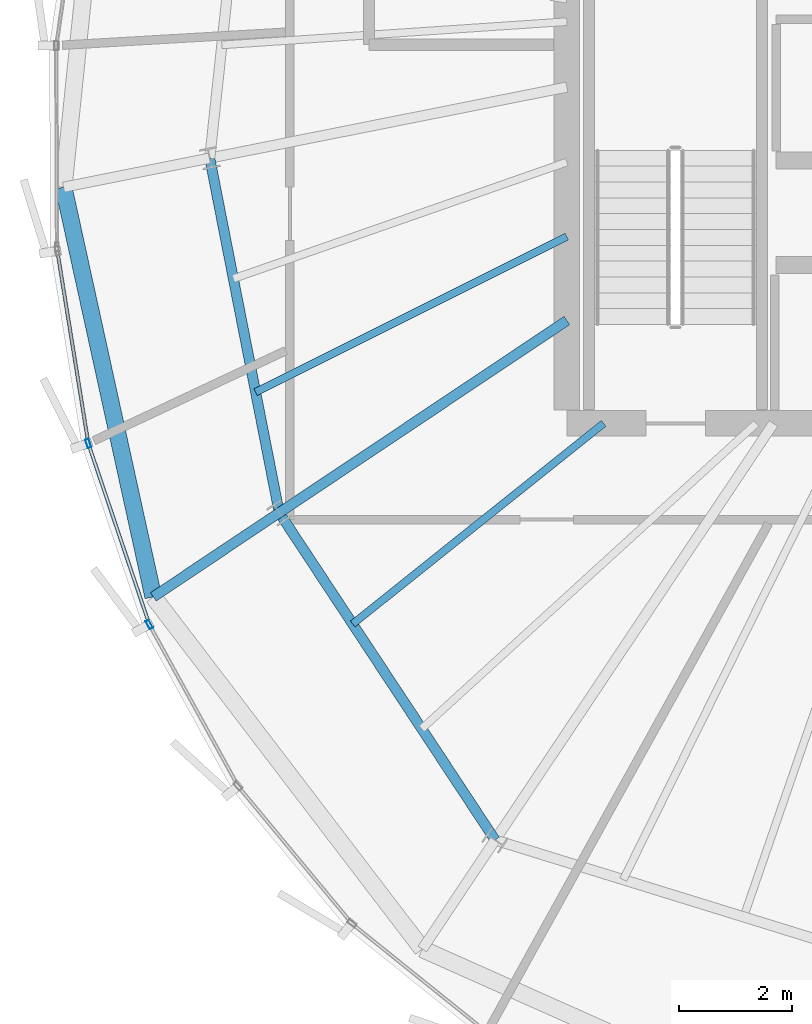
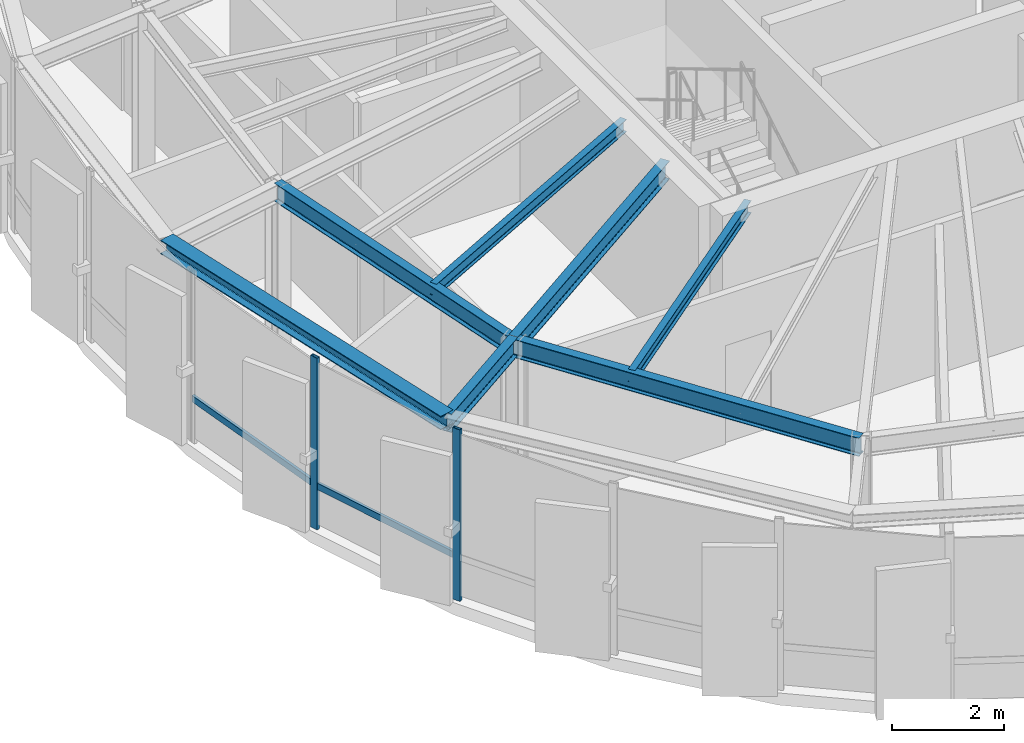
# One storey, part 4 of 27: 7 beams, 4 members, 1 element without a shape of its own.
"""IFC4 building model written with IfcOpenShell, lengths in metres."""

import ifcopenshell
import ifcopenshell.guid

model = None  # the IFC model being written
_history = None  # IfcOwnerHistory: only IFC2X3 demands one
_inside = {}  # id of a spatial element -> (the spatial element, [elements in it])
_under = {}  # id of a project, library or spatial element -> (it, [spatial elements below it])
_declared = {}  # id of a project -> (the project, [libraries it declares])
_typed = {}  # id of a type object -> (the type object, [elements of that type])
_made_of = {}  # id of a material, layer set ... -> (it, [elements and type objects made of it])


def new_model(schema):
    """Start an empty IFC model of exactly this schema.

    Asked for "IFC4X3", IfcOpenShell would pick the latest addendum, in which some entities
    have other attributes; the version numbers below select the first issue.
    IFC2X3 requires an IfcOwnerHistory on every rooted entity: one is made here for all.
    """
    global model, _history
    if schema == "IFC4X3":
        model = ifcopenshell.file(schema_version=(4, 3, 0, 0))
    else:
        model = ifcopenshell.file(schema=schema)
    _inside.clear()
    _under.clear()
    _declared.clear()
    _typed.clear()
    _made_of.clear()
    _history = None
    if model.schema == "IFC2X3":
        org = make("IfcOrganization", Name="unknown")
        user = make(
            "IfcPersonAndOrganization",
            ThePerson=make("IfcPerson", FamilyName="unknown"),
            TheOrganization=org,
        )
        app = make(
            "IfcApplication",
            ApplicationDeveloper=org,
            Version="unknown",
            ApplicationFullName="unknown",
            ApplicationIdentifier="unknown",
        )
        _history = make(
            "IfcOwnerHistory",
            OwningUser=user,
            OwningApplication=app,
            ChangeAction="ADDED",
            CreationDate=0,
        )
    return model


def make(cls, **values):
    """One entity of the class cls with the attributes given. An attribute that is None is left unset."""
    return model.create_entity(
        cls, **{name: value for name, value in values.items() if value is not None}
    )


def rooted(cls, **values):
    """An entity with a GlobalId (a new one), such as an element, a storey or a relation."""
    return make(cls, GlobalId=ifcopenshell.guid.new(), OwnerHistory=_history, **values)


def si_unit(unit_type, name, prefix=None):
    """IfcSIUnit, for example si_unit("LENGTHUNIT", "METRE", prefix="MILLI")."""
    return make("IfcSIUnit", UnitType=unit_type, Prefix=prefix, Name=name)


def assignment(units):
    """IfcUnitAssignment: the units of a project."""
    return None if units is None else make("IfcUnitAssignment", Units=units)


def point(xyz):
    """IfcCartesianPoint."""
    return None if xyz is None else make("IfcCartesianPoint", Coordinates=xyz)


def direction(xyz):
    """IfcDirection."""
    return None if xyz is None else make("IfcDirection", DirectionRatios=xyz)


def frame(location, z_axis=None, x_axis=None):
    """IfcAxis2Placement3D, a coordinate frame: its origin and axes. An axis left out is left unset."""
    return make(
        "IfcAxis2Placement3D",
        Location=point(location),
        Axis=direction(z_axis),
        RefDirection=direction(x_axis),
    )


def frame_2d(location, x_axis=None):
    """IfcAxis2Placement2D, a coordinate frame in the plane: its origin and x axis."""
    return make(
        "IfcAxis2Placement2D", Location=point(location), RefDirection=direction(x_axis)
    )


def origin():
    """The frame at (0, 0, 0) with its axes left unset."""
    return frame((0.0, 0.0, 0.0))


def origin_2d():
    """The frame at (0, 0) in the plane with its x axis left unset."""
    return frame_2d((0.0, 0.0))


def place(relative_to, where):
    """IfcLocalPlacement: puts the frame where relative to a parent placement (None: the world)."""
    return make(
        "IfcLocalPlacement", PlacementRelTo=relative_to, RelativePlacement=where
    )


def context(
    kind, dimensions, precision=None, world=None, true_north=None, identifier=None
):
    """IfcGeometricRepresentationContext, for example the 3D "Model" context."""
    return make(
        "IfcGeometricRepresentationContext",
        ContextIdentifier=identifier,
        ContextType=kind,
        CoordinateSpaceDimension=dimensions,
        Precision=precision,
        WorldCoordinateSystem=world,
        TrueNorth=true_north,
    )


def subcontext(parent, identifier, kind, view, scale=None):
    """IfcGeometricRepresentationSubContext, for example "Body" below "Model"."""
    return make(
        "IfcGeometricRepresentationSubContext",
        ContextIdentifier=identifier,
        ContextType=kind,
        ParentContext=parent,
        TargetScale=scale,
        TargetView=view,
    )


def project(units=None, contexts=None):
    """IfcProject with its units and contexts."""
    return rooted(
        "IfcProject",
        Name="project",
        RepresentationContexts=contexts,
        UnitsInContext=assignment(units),
    )


def spatial(cls, under=None, at=None, **own):
    """A site, building, storey or space (cls), placed at a placement, below another one or the project."""
    s = rooted(cls, ObjectPlacement=at, **own)
    if under is not None:
        _under.setdefault(under.id(), (under, []))[1].append(s)
    return s


def profile(cls, at=None, kind="AREA", **sizes):
    """A parametric profile (cls). Its sizes go by their IFC names, for example OverallWidth=200.0."""
    return make(cls, ProfileType=kind, Position=at, **sizes)


def hollow_rectangle(**sizes):
    """IfcRectangleHollowProfileDef."""
    return profile("IfcRectangleHollowProfileDef", **sizes)


def i_section(**sizes):
    """IfcIShapeProfileDef."""
    return profile("IfcIShapeProfileDef", **sizes)


def extrude(swept, where, along, depth):
    """IfcExtrudedAreaSolid: the profile swept, set in the frame where, extruded along a direction by depth."""
    return make(
        "IfcExtrudedAreaSolid",
        SweptArea=swept,
        Position=where,
        ExtrudedDirection=direction(along),
        Depth=depth,
    )


def shape(context_of_items, identifier, shape_type, items):
    """IfcShapeRepresentation: the items that make up one representation, for example the "Body"."""
    return make(
        "IfcShapeRepresentation",
        ContextOfItems=context_of_items,
        RepresentationIdentifier=identifier,
        RepresentationType=shape_type,
        Items=items,
    )


def source(mapping_origin, context_of_items, identifier, shape_type, items):
    """IfcRepresentationMap: a shape defined once, which mapped items show again and again."""
    return make(
        "IfcRepresentationMap",
        MappingOrigin=mapping_origin,
        MappedRepresentation=shape(context_of_items, identifier, shape_type, items),
    )


def transform(
    local_origin,
    x_axis=None,
    y_axis=None,
    z_axis=None,
    scale=None,
    scale2=None,
    scale3=None,
    uniform=True,
):
    """IfcCartesianTransformationOperator3D, or its non-uniform kind. x_axis, y_axis, z_axis: its Axis1, 2, 3."""
    if uniform:
        return make(
            "IfcCartesianTransformationOperator3D",
            Axis1=direction(x_axis),
            Axis2=direction(y_axis),
            LocalOrigin=point(local_origin),
            Scale=scale,
            Axis3=direction(z_axis),
        )
    return make(
        "IfcCartesianTransformationOperator3DnonUniform",
        Axis1=direction(x_axis),
        Axis2=direction(y_axis),
        LocalOrigin=point(local_origin),
        Scale=scale,
        Axis3=direction(z_axis),
        Scale2=scale2,
        Scale3=scale3,
    )


def mapped(mapping_source, mapping_target):
    """IfcMappedItem: shows the shape of a source again, moved by a transform."""
    return make(
        "IfcMappedItem", MappingSource=mapping_source, MappingTarget=mapping_target
    )


def material(Name=None, Category=None):
    """IfcMaterial."""
    return make("IfcMaterial", Name=Name, Category=Category)


def layer(
    of_material, thickness, ventilated=None, Name=None, Category=None, Priority=None
):
    """IfcMaterialLayer: one layer of a wall or slab, of a material (None: an air gap)."""
    return make(
        "IfcMaterialLayer",
        Material=of_material,
        LayerThickness=thickness,
        IsVentilated=ventilated,
        Name=Name,
        Category=Category,
        Priority=Priority,
    )


def layer_set(layers, Name=None):
    """IfcMaterialLayerSet."""
    return make("IfcMaterialLayerSet", MaterialLayers=layers, LayerSetName=Name)


def material_profile(
    of_material, cross_section, Name=None, Category=None, Priority=None
):
    """IfcMaterialProfile: a cross section and its material."""
    return make(
        "IfcMaterialProfile",
        Name=Name,
        Material=of_material,
        Profile=cross_section,
        Priority=Priority,
        Category=Category,
    )


def profile_set(profiles, Name=None, composite=None):
    """IfcMaterialProfileSet."""
    return make(
        "IfcMaterialProfileSet",
        Name=Name,
        MaterialProfiles=profiles,
        CompositeProfile=composite,
    )


def made_of(thing, what):
    """Note that an element or type object is made of a material, layer set ...; save() writes the relation."""
    if what is not None:
        _made_of.setdefault(what.id(), (what, []))[1].append(thing)
    return thing


def type_object(cls, material=None, **own):
    """A type object (cls), such as IfcWallType, which elements share."""
    return made_of(rooted(cls, **own), material)


def element(
    cls,
    number,
    at=None,
    inside=None,
    cuts=None,
    type_object=None,
    material=None,
    context=None,
    identifier="Body",
    shape_type=None,
    held_by="IfcProductDefinitionShape",
    body=None,
    shapes=None,
    **own,
):
    """One element of the class cls, such as IfcWall. Its Tag is "e" and its number.

    at: its placement. inside: the storey or other place that contains it. cuts: it is an
    opening in that element (IfcRelVoidsElement). A single representation is given by context,
    identifier, shape_type and body (its items); several are given by shapes. held_by: the class
    of the entity that holds the representations. save() writes the other relations.
    """
    e = rooted(cls, Tag="e%d" % number, ObjectPlacement=at, **own)
    if body is not None:
        shapes = [shape(context, identifier, shape_type, body)]
    if shapes is not None:
        e.Representation = make(held_by, Representations=shapes)
    if inside is not None:
        _inside.setdefault(inside.id(), (inside, []))[1].append(e)
    if cuts is not None:
        rooted(
            "IfcRelVoidsElement", RelatingBuildingElement=cuts, RelatedOpeningElement=e
        )
    if type_object is not None:
        _typed.setdefault(type_object.id(), (type_object, []))[1].append(e)
    return made_of(e, material)


def aggregate(whole, parts):
    """IfcRelAggregates: a whole, such as a stair, and the parts it consists of."""
    return rooted("IfcRelAggregates", RelatingObject=whole, RelatedObjects=parts)


def save(model, path):
    """Write the relations noted so far, then the file.

    IfcRelAggregates (storeys below a building ...), IfcRelContainedInSpatialStructure (elements
    in a storey), IfcRelDefinesByType, IfcRelAssociatesMaterial and IfcRelDeclares: one each for
    every whole, place, type object, material and project.
    """
    for whole, parts in _under.values():
        aggregate(whole, parts)
    for where, things in _inside.values():
        rooted(
            "IfcRelContainedInSpatialStructure",
            RelatedElements=things,
            RelatingStructure=where,
        )
    for kind, things in _typed.values():
        rooted("IfcRelDefinesByType", RelatedObjects=things, RelatingType=kind)
    for what, things in _made_of.values():
        rooted("IfcRelAssociatesMaterial", RelatedObjects=things, RelatingMaterial=what)
    for by, libraries in _declared.values():
        rooted("IfcRelDeclares", RelatingContext=by, RelatedDefinitions=libraries)
    model.write(path)


model = new_model("IFC4")

# Units and contexts
model_context = context("Model", 3, precision=1e-05, world=origin(), true_north=direction((0.0, 1.0)))
body_context = subcontext(model_context, "Body", "Model", "MODEL_VIEW")
ifc_project = project(units=[si_unit("LENGTHUNIT", "METRE"), si_unit("AREAUNIT", "SQUARE_METRE"), si_unit("VOLUMEUNIT", "CUBIC_METRE"), si_unit("PLANEANGLEUNIT", "RADIAN"), si_unit("MASSUNIT", "GRAM", prefix="KILO"), si_unit("THERMODYNAMICTEMPERATUREUNIT", "KELVIN")], contexts=[model_context])

# Site, building, storey
site_placement = place(None, origin())
site = spatial("IfcSite", under=ifc_project, at=site_placement, CompositionType="ELEMENT")
building_placement = place(site_placement, origin())
building = spatial("IfcBuilding", under=site, at=building_placement, Name="Kethvar Cultural Tower", CompositionType="ELEMENT")
storey_placement = place(building_placement, frame((0.0, 0.0, 312.300048828125)))
storey = spatial("IfcBuildingStorey", under=building, at=storey_placement, Name="L83", CompositionType="ELEMENT", Elevation=312.300048828125)

# Beams
ifc_material_1 = material(Name="Steel S355J2", Category="steel")
ifc_material_profile_1 = material_profile(ifc_material_1, i_section(OverallWidth=0.135009765625, OverallDepth=0.27001953125, WebThickness=0.006591796875, FlangeThickness=0.01025390625, FilletRadius=0.014892578125, at=origin_2d()), Name="Steel S355J2 — IPE270")
ifc_profile_set_1 = profile_set([ifc_material_profile_1], Name="Steel S355J2 — IPE270")
beam_type_1 = type_object("IfcBeamType", Name="BM-J270", PredefinedType="JOIST", material=ifc_profile_set_1)
shared_shape_1 = source(origin(), body_context, "Body", "SweptSolid", [
    extrude(i_section(OverallWidth=0.135009765625, OverallDepth=0.27001953125, WebThickness=0.006591796875, FlangeThickness=0.01025390625, FilletRadius=0.014892578125, at=origin_2d()), origin(), (0.0, 0.0, 1.0), 6.154052734375),
])
beam_1_placement = place(storey_placement, frame((38.0, 23.40380859375, 3.597900390625), z_axis=(-0.89458581954, -0.446896197655, 0.0), x_axis=(0.446896197655, -0.89458581954, 0.0)))
element("IfcBeam", 1, at=beam_1_placement, inside=storey, type_object=beam_type_1, Name="L83 Composite Floor Joist J-09B", PredefinedType="JOIST", context=body_context, shape_type="MappedRepresentation", body=[
    mapped(shared_shape_1, transform((0.0, 0.0, 0.0), scale=1.0)),
])
shared_shape_2 = source(origin(), body_context, "Body", "SweptSolid", [
    extrude(i_section(OverallWidth=0.135009765625, OverallDepth=0.27001953125, WebThickness=0.006591796875, FlangeThickness=0.01025390625, FilletRadius=0.014892578125, at=origin_2d()), origin(), (0.0, 0.0, 1.0), 5.68212890625),
])
beam_2_placement = place(storey_placement, frame((38.64990234375, 20.10009765625, 3.597900390625), z_axis=(-0.781157957733, -0.624333440615, 0.0), x_axis=(0.624333440615, -0.781157957733, 0.0)))
element("IfcBeam", 2, at=beam_2_placement, inside=storey, type_object=beam_type_1, Name="L83 Composite Floor Joist J-10A", PredefinedType="JOIST", context=body_context, shape_type="MappedRepresentation", body=[
    mapped(shared_shape_2, transform((0.0, 0.0, 0.0), scale=1.0)),
])
ifc_material_profile_2 = material_profile(ifc_material_1, i_section(OverallWidth=0.179931640625, OverallDepth=0.39990234375, WebThickness=0.008544921875, FlangeThickness=0.013427734375, FilletRadius=0.02099609375, at=origin_2d()), Name="Steel S355J2 — IPE400")
ifc_profile_set_2 = profile_set([ifc_material_profile_2], Name="Steel S355J2 — IPE400")
beam_type_2 = type_object("IfcBeamType", Name="BM-IPE400", PredefinedType="BEAM", material=ifc_profile_set_2)
shared_shape_3 = source(origin(), body_context, "Body", "SweptSolid", [
    extrude(i_section(OverallWidth=0.179931640625, OverallDepth=0.39990234375, WebThickness=0.008544921875, FlangeThickness=0.013427734375, FilletRadius=0.02099609375, at=origin_2d()), origin(), (0.0, 0.0, 1.0), 6.118408203125),
])
beam_3_placement = place(storey_placement, frame((38.0, 21.920166015625, 3.532958984375), z_axis=(-0.831466631282, -0.555574694406, 0.0), x_axis=(0.555574694406, -0.831466631282, 0.0)))
element("IfcBeam", 3, at=beam_3_placement, inside=storey, type_object=beam_type_2, Name="L83 Primary Radial Beam RB-10", PredefinedType="BEAM", context=body_context, shape_type="MappedRepresentation", body=[
    mapped(shared_shape_3, transform((0.0, 0.0, 0.0), scale=1.0)),
])
shared_shape_4 = source(origin(), body_context, "Body", "SweptSolid", [
    extrude(i_section(OverallWidth=0.179931640625, OverallDepth=0.39990234375, WebThickness=0.008544921875, FlangeThickness=0.013427734375, FilletRadius=0.02099609375, at=origin_2d()), origin(), (0.0, 0.0, 1.0), 6.391357421875),
])
beam_4_placement = place(storey_placement, frame((31.68310546875, 24.79296875, 3.532958984375), z_axis=(0.192405084368, -0.981315588131, 0.0), x_axis=(0.981315588131, 0.192405084368, 0.0)))
element("IfcBeam", 4, at=beam_4_placement, inside=storey, type_object=beam_type_2, Name="L83 Column Ring Tie Beam CR-09", PredefinedType="BEAM", context=body_context, shape_type="MappedRepresentation", body=[
    mapped(shared_shape_4, transform((0.0, 0.0, 0.0), scale=1.0)),
])
shared_shape_5 = source(origin(), body_context, "Body", "SweptSolid", [
    extrude(i_section(OverallWidth=0.179931640625, OverallDepth=0.39990234375, WebThickness=0.008544921875, FlangeThickness=0.013427734375, FilletRadius=0.02099609375, at=origin_2d()), origin(), (0.0, 0.0, 1.0), 6.935791015625),
])
beam_5_placement = place(storey_placement, frame((32.912841796875, 18.52099609375, 3.532958984375), z_axis=(0.550534204139, -0.834812607759, 0.0), x_axis=(0.834812607759, 0.550534204139, 0.0)))
element("IfcBeam", 5, at=beam_5_placement, inside=storey, type_object=beam_type_2, Name="L83 Column Ring Tie Beam CR-10", PredefinedType="BEAM", context=body_context, shape_type="MappedRepresentation", body=[
    mapped(shared_shape_5, transform((0.0, 0.0, 0.0), scale=1.0)),
])
shared_shape_6 = source(origin(), body_context, "Body", "SweptSolid", [
    extrude(i_section(OverallWidth=0.179931640625, OverallDepth=0.39990234375, WebThickness=0.008544921875, FlangeThickness=0.013427734375, FilletRadius=0.02099609375, at=origin_2d()), origin(), (0.0, 0.0, 1.0), 2.67919921875),
])
beam_6_placement = place(storey_placement, frame((32.912841796875, 18.52099609375, 3.532958984375), z_axis=(-0.831475087238, -0.555562039112, 0.0), x_axis=(0.555562039112, -0.831475087238, 0.0)))
element("IfcBeam", 6, at=beam_6_placement, inside=storey, type_object=beam_type_2, Name="L83 Perimeter Cantilever Beam RC-10", PredefinedType="BEAM", context=body_context, shape_type="MappedRepresentation", body=[
    mapped(shared_shape_6, transform((0.0, 0.0, 0.0), scale=1.0)),
])
ifc_material_profile_3 = material_profile(ifc_material_1, i_section(OverallWidth=0.300048828125, OverallDepth=0.300048828125, WebThickness=0.010986328125, FlangeThickness=0.01904296875, FilletRadius=0.027099609375, at=origin_2d()), Name="Steel S355J2 — HEB300")
ifc_profile_set_3 = profile_set([ifc_material_profile_3], Name="Steel S355J2 — HEB300")
beam_type_3 = type_object("IfcBeamType", Name="BM-SP300", PredefinedType="SPANDREL", material=ifc_profile_set_3)
shared_shape_7 = source(origin(), body_context, "Body", "SweptSolid", [
    extrude(i_section(OverallWidth=0.300048828125, OverallDepth=0.300048828125, WebThickness=0.010986328125, FlangeThickness=0.01904296875, FilletRadius=0.027099609375, at=origin_2d()), origin(), (0.0, 0.0, 1.0), 7.418212890625),
])
beam_7_placement = place(storey_placement, frame((29.097412109375, 24.27880859375, 3.5830078125), z_axis=(0.214019780715, -0.97682932668, 0.0), x_axis=(0.97682932668, 0.214019780715, 0.0)))
element("IfcBeam", 7, at=beam_7_placement, inside=storey, type_object=beam_type_3, Name="L83 Perimeter Spandrel Beam SP-09", PredefinedType="SPANDREL", context=body_context, shape_type="MappedRepresentation", body=[
    mapped(shared_shape_7, transform((0.0, 0.0, 0.0), scale=1.0)),
])

# Curtain wall, members
ifc_material_2 = material(Name="Aluminium 6063-T6", Category="aluminium")
ifc_layer = layer(ifc_material_2, 0.179931640625, Name="Aluminium 6063-T6", Category="aluminium")
ifc_layer_set = layer_set([ifc_layer], Name="Aluminium 6063-T6 (180 mm)")
curtain_wall_type = type_object("IfcCurtainWallType", Name="CW-SYS-06-CROWN", PredefinedType="NOTDEFINED", material=ifc_layer_set)
curtain_wall_placement = place(storey_placement, origin())
curtain_wall = element("IfcCurtainWall", 8, at=curtain_wall_placement, inside=storey, type_object=curtain_wall_type, Name="L83 Curtain Wall Run 03", PredefinedType="NOTDEFINED")
ifc_material_profile_4 = material_profile(ifc_material_2, hollow_rectangle(XDim=0.06494140625, YDim=0.159912109375, WallThickness=0.0048828125, at=origin_2d()), Name="Aluminium 6063-T6 — RHS160x65x5")
ifc_profile_set_4 = profile_set([ifc_material_profile_4], Name="Aluminium 6063-T6 — RHS160x65x5")
member_type_1 = type_object("IfcMemberType", Name="CW-SYS-06-CROWN-MUL", PredefinedType="MULLION", material=ifc_profile_set_4)
shared_shape_8 = source(origin(), body_context, "Body", "SweptSolid", [
    extrude(hollow_rectangle(XDim=0.06494140625, YDim=0.159912109375, WallThickness=0.0048828125, at=origin_2d()), origin(), (0.0, 0.0, 1.0), 3.73486328125),
])
member_1_placement = place(storey_placement, frame((29.534423828125, 19.746337890625, 0.0), z_axis=(0.0, 0.0, 1.0), x_axis=(0.947528766847, 0.319670511616, 0.0)))
member_1 = element("IfcMember", 9, at=member_1_placement, type_object=member_type_1, Name="CW-L83-R03 Mullion 2", PredefinedType="MULLION", context=body_context, shape_type="MappedRepresentation", body=[
    mapped(shared_shape_8, transform((0.0, 0.0, 0.0), scale=1.0)),
])
member_2_placement = place(storey_placement, frame((30.61279296875, 16.544189453125, 0.0), z_axis=(0.0, 0.0, 1.0), x_axis=(0.876323495886, 0.481723084935, 0.0)))
member_2 = element("IfcMember", 10, at=member_2_placement, type_object=member_type_1, Name="CW-L83-R03 Mullion 3", PredefinedType="MULLION", context=body_context, shape_type="MappedRepresentation", body=[
    mapped(shared_shape_8, transform((0.0, 0.0, 0.0), scale=1.0)),
])
ifc_material_profile_5 = material_profile(ifc_material_2, hollow_rectangle(XDim=0.06005859375, YDim=0.139892578125, WallThickness=0.0048828125, at=origin_2d()), Name="Aluminium 6063-T6 — RHS140x60x5")
ifc_profile_set_5 = profile_set([ifc_material_profile_5], Name="Aluminium 6063-T6 — RHS140x60x5")
member_type_2 = type_object("IfcMemberType", Name="CW-SYS-06-CROWN-TRN", PredefinedType="USERDEFINED", material=ifc_profile_set_5)
shared_shape_9 = source(origin(), body_context, "Body", "SweptSolid", [
    extrude(hollow_rectangle(XDim=0.06005859375, YDim=0.139892578125, WallThickness=0.0048828125, at=origin_2d()), origin(), (0.0, 0.0, 1.0), 3.418701171875),
])
member_3_placement = place(storey_placement, frame((28.98779296875, 23.1484375, 0.949951171875), z_axis=(0.159104461995, -0.987261753626, 0.0), x_axis=(0.987261753626, 0.159104461995, 0.0)))
member_3 = element("IfcMember", 11, at=member_3_placement, type_object=member_type_2, Name="CW-L83-R03 Transom 1", ObjectType="TRANSOM", PredefinedType="USERDEFINED", context=body_context, shape_type="MappedRepresentation", body=[
    mapped(shared_shape_9, transform((0.0, 0.0, 0.0), scale=1.0)),
])
shared_shape_10 = source(origin(), body_context, "Body", "SweptSolid", [
    extrude(hollow_rectangle(XDim=0.06005859375, YDim=0.139892578125, WallThickness=0.0048828125, at=origin_2d()), origin(), (0.0, 0.0, 1.0), 3.306396484375),
])
member_4_placement = place(storey_placement, frame((29.549560546875, 19.701904296875, 0.949951171875), z_axis=(0.319659318764, -0.947532542938, 0.0), x_axis=(0.947532542938, 0.319659318764, 0.0)))
member_4 = element("IfcMember", 12, at=member_4_placement, type_object=member_type_2, Name="CW-L83-R03 Transom 2", ObjectType="TRANSOM", PredefinedType="USERDEFINED", context=body_context, shape_type="MappedRepresentation", body=[
    mapped(shared_shape_10, transform((0.0, 0.0, 0.0), scale=1.0)),
])
aggregate(curtain_wall, [member_1, member_2, member_3, member_4])

save(model, "model.ifc")
